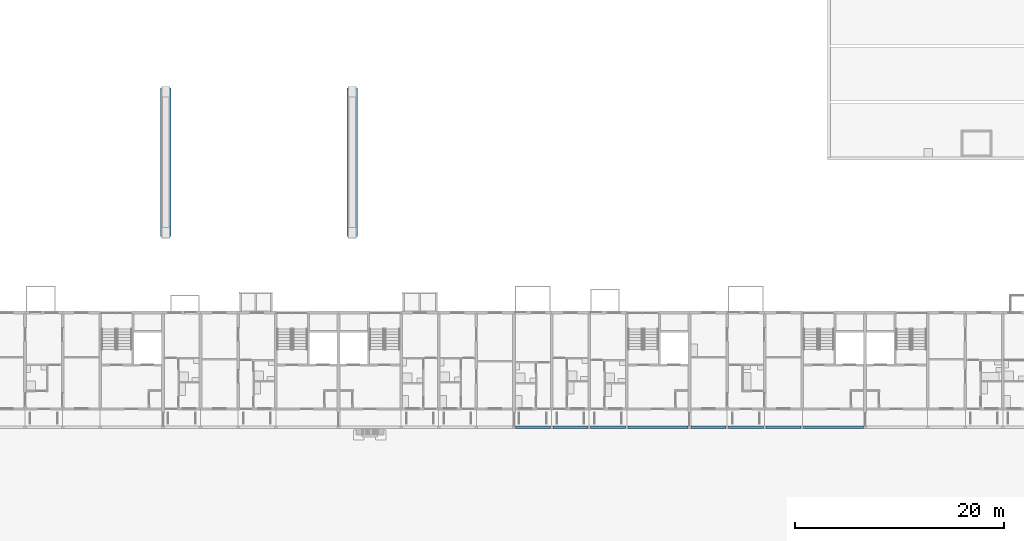
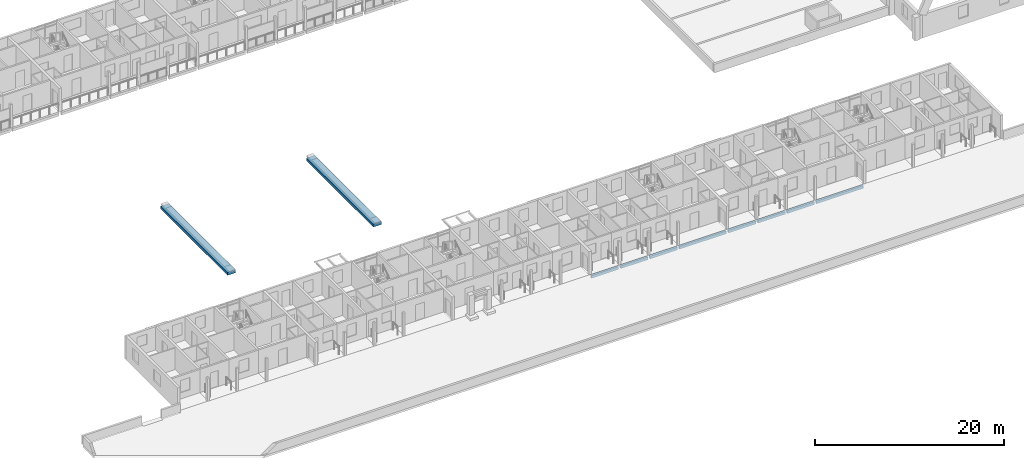
# One storey, part 12 of 115: 10 beams.
"""IFC4 building model written with IfcOpenShell, lengths in metres."""

from ifc_helpers import new_model, si_unit, direction, frame, origin, origin_2d, place, context, subcontext, project, spatial, rectangle, extrude, material, material_profile, profile_set, type_object, element, save


model = new_model("IFC4")

# Units and contexts
model_context = context("Model", 3, precision=1e-05, world=origin(), true_north=direction((0.0, 1.0)))
body_context = subcontext(model_context, "Body", "Model", "MODEL_VIEW")
ifc_project = project(units=[si_unit("LENGTHUNIT", "METRE"), si_unit("AREAUNIT", "SQUARE_METRE"), si_unit("VOLUMEUNIT", "CUBIC_METRE"), si_unit("PLANEANGLEUNIT", "RADIAN"), si_unit("MASSUNIT", "GRAM", prefix="KILO")], contexts=[model_context])

# Site, building, storey
site_placement = place(None, origin())
site = spatial("IfcSite", under=ifc_project, at=site_placement, CompositionType="ELEMENT")
building_placement = place(site_placement, origin())
building = spatial("IfcBuilding", under=site, at=building_placement, Name="Ridgestep Commons", CompositionType="ELEMENT")
storey_placement = place(building_placement, frame((0.0, 0.0, 6.0)))
storey = spatial("IfcBuildingStorey", under=building, at=storey_placement, Name="L02", CompositionType="ELEMENT", Elevation=6.0)

# Beams
ifc_material_1 = material(Name="Precast concrete C40/50", Category="concrete")
ifc_material_profile_1 = material_profile(ifc_material_1, rectangle(XDim=0.25, YDim=0.35009765625, at=origin_2d()), Name="PC 250x350")
ifc_profile_set_1 = profile_set([ifc_material_profile_1], Name="Precast concrete C40/50")
beam_type_1 = type_object("IfcBeamType", Name="Loggia edge beam 250 x 350", PredefinedType="SPANDREL", material=ifc_profile_set_1)
beam_1_placement = place(storey_placement, frame((62.550048828125, 11.875, -0.375), z_axis=(1.0, 0.0, 0.0), x_axis=(0.0, 1.0, 0.0)))
element("IfcBeam", 1, at=beam_1_placement, inside=storey, type_object=beam_type_1, Name="Loggia edge beam A4T1 L02", PredefinedType="SPANDREL", context=body_context, shape_type="SweptSolid", body=[
    extrude(rectangle(XDim=0.25, YDim=0.35009765625, at=origin_2d()), origin(), (0.0, 0.0, 1.0), 3.324951171875),
])
beam_2_placement = place(storey_placement, frame((66.125, 11.875, -0.375), z_axis=(1.0, 0.0, 0.0), x_axis=(0.0, 1.0, 0.0)))
element("IfcBeam", 2, at=beam_2_placement, inside=storey, type_object=beam_type_1, Name="Loggia edge beam A4T2 L02", PredefinedType="SPANDREL", context=body_context, shape_type="SweptSolid", body=[
    extrude(rectangle(XDim=0.25, YDim=0.35009765625, at=origin_2d()), origin(), (0.0, 0.0, 1.0), 3.35009765625),
])
beam_3_placement = place(storey_placement, frame((69.72509765625, 11.875, -0.375), z_axis=(1.0, 0.0, 0.0), x_axis=(0.0, 1.0, 0.0)))
element("IfcBeam", 3, at=beam_3_placement, inside=storey, type_object=beam_type_1, Name="Loggia edge beam A4T3 L02", PredefinedType="SPANDREL", context=body_context, shape_type="SweptSolid", body=[
    extrude(rectangle(XDim=0.25, YDim=0.35009765625, at=origin_2d()), origin(), (0.0, 0.0, 1.0), 3.349853515625),
])
beam_4_placement = place(storey_placement, frame((73.324951171875, 11.875, -0.375), z_axis=(1.0, 0.0, 0.0), x_axis=(0.0, 1.0, 0.0)))
element("IfcBeam", 4, at=beam_4_placement, inside=storey, type_object=beam_type_1, Name="Loggia edge beam A4C L02", PredefinedType="SPANDREL", context=body_context, shape_type="SweptSolid", body=[
    extrude(rectangle(XDim=0.25, YDim=0.35009765625, at=origin_2d()), origin(), (0.0, 0.0, 1.0), 5.72509765625),
])
beam_5_placement = place(storey_placement, frame((79.35009765625, 11.875, -0.375), z_axis=(1.0, 0.0, 0.0), x_axis=(0.0, 1.0, 0.0)))
element("IfcBeam", 5, at=beam_5_placement, inside=storey, type_object=beam_type_1, Name="Loggia edge beam A5T1 L02", PredefinedType="SPANDREL", context=body_context, shape_type="SweptSolid", body=[
    extrude(rectangle(XDim=0.25, YDim=0.35009765625, at=origin_2d()), origin(), (0.0, 0.0, 1.0), 3.324951171875),
])
beam_6_placement = place(storey_placement, frame((82.925048828125, 11.875, -0.375), z_axis=(1.0, 0.0, 0.0), x_axis=(0.0, 1.0, 0.0)))
element("IfcBeam", 6, at=beam_6_placement, inside=storey, type_object=beam_type_1, Name="Loggia edge beam A5T2 L02", PredefinedType="SPANDREL", context=body_context, shape_type="SweptSolid", body=[
    extrude(rectangle(XDim=0.25, YDim=0.35009765625, at=origin_2d()), origin(), (0.0, 0.0, 1.0), 3.349853515625),
])
beam_7_placement = place(storey_placement, frame((86.52490234375, 11.875, -0.375), z_axis=(1.0, 0.0, 0.0), x_axis=(0.0, 1.0, 0.0)))
element("IfcBeam", 7, at=beam_7_placement, inside=storey, type_object=beam_type_1, Name="Loggia edge beam A5T3 L02", PredefinedType="SPANDREL", context=body_context, shape_type="SweptSolid", body=[
    extrude(rectangle(XDim=0.25, YDim=0.35009765625, at=origin_2d()), origin(), (0.0, 0.0, 1.0), 3.35009765625),
])
beam_8_placement = place(storey_placement, frame((90.125, 11.875, -0.375), z_axis=(1.0, 0.0, 0.0), x_axis=(0.0, 1.0, 0.0)))
element("IfcBeam", 8, at=beam_8_placement, inside=storey, type_object=beam_type_1, Name="Loggia edge beam A5C L02", PredefinedType="SPANDREL", context=body_context, shape_type="SweptSolid", body=[
    extrude(rectangle(XDim=0.25, YDim=0.35009765625, at=origin_2d()), origin(), (0.0, 0.0, 1.0), 5.72509765625),
])
ifc_material_2 = material(Name="Precast concrete C40/50", Category="concrete")
ifc_material_profile_2 = material_profile(ifc_material_2, rectangle(XDim=1.0, YDim=0.35009765625, at=origin_2d()), Name="Nursery ridge beam 1000 x 350")
ifc_profile_set_2 = profile_set([ifc_material_profile_2], Name="Precast concrete C40/50")
beam_type_2 = type_object("IfcBeamType", Name="Nursery ridge beam 1000 x 350", PredefinedType="BEAM", material=ifc_profile_set_2)
for number, where, z_axis, x_axis, name in (
    (9, (29.074951171875, 30.14990234375, 0.753662109375), (0.0, 1.0, 0.0), (-1.0, 0.0, 0.0), "Nursery ridge beam"),
    (10, (46.925048828125, 30.14990234375, 0.753662109375), (0.0, 1.0, 0.0), (-1.0, 0.0, 0.0), "Nursery ridge beam"),
):
    element("IfcBeam", number, at=place(storey_placement, frame(where, z_axis=z_axis, x_axis=x_axis)), inside=storey, type_object=beam_type_2, Name=name, PredefinedType="BEAM", context=body_context, shape_type="SweptSolid", body=[
        extrude(rectangle(XDim=1.0, YDim=0.35009765625, at=origin_2d()), origin(), (0.0, 0.0, 1.0), 14.2001953125),
    ])

save(model, "model.ifc")
